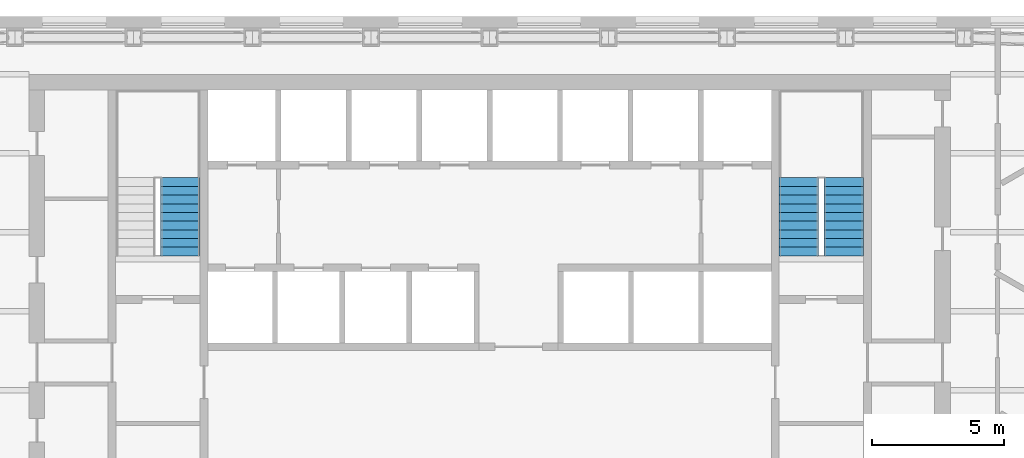
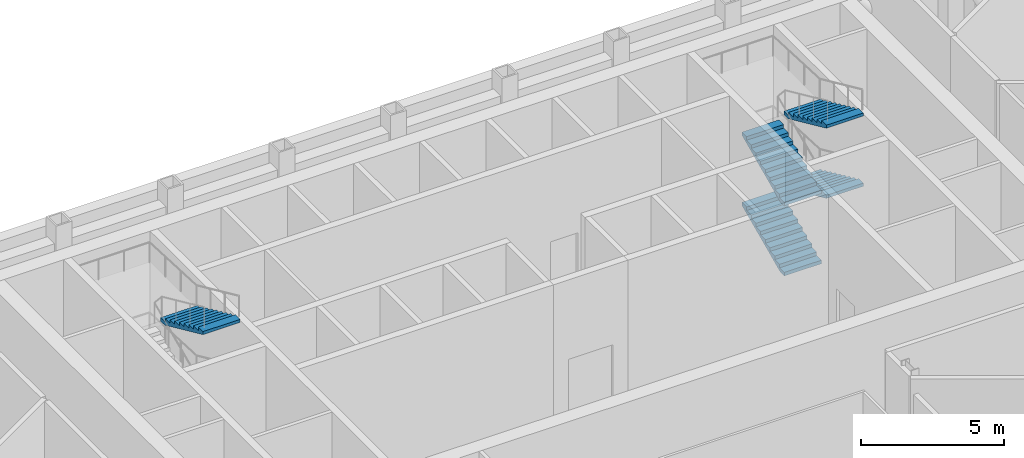
# One storey, part 13 of 14: 5 stair flights, 2 elements without a shape of their own.
"""IFC4 building model written with IfcOpenShell, lengths in metres."""

from ifc_helpers import new_model, si_unit, direction, frame, origin, place, context, subcontext, project, spatial, polygons, material, type_object, element, aggregate, save


model = new_model("IFC4")

# Units and contexts
model_context = context("Model", 3, precision=1e-05, world=origin(), true_north=direction((0.0, 1.0)))
body_context = subcontext(model_context, "Body", "Model", "MODEL_VIEW")
ifc_project = project(units=[si_unit("LENGTHUNIT", "METRE"), si_unit("AREAUNIT", "SQUARE_METRE"), si_unit("VOLUMEUNIT", "CUBIC_METRE"), si_unit("PLANEANGLEUNIT", "RADIAN"), si_unit("MASSUNIT", "GRAM", prefix="KILO")], contexts=[model_context])

# Site, building, storey
site_placement = place(None, origin())
site = spatial("IfcSite", under=ifc_project, at=site_placement, CompositionType="ELEMENT")
building_placement = place(site_placement, origin())
building = spatial("IfcBuilding", under=site, at=building_placement, Name="Njiva Tower", CompositionType="ELEMENT")
storey_placement = place(building_placement, frame((0.0, 0.0, 78.3)))
storey = spatial("IfcBuildingStorey", under=building, at=storey_placement, Name="L16", CompositionType="ELEMENT", Elevation=78.3)

# Stair, stair flight
ifc_material = material(Name="Concrete C40/50", Category="concrete")
stair_type = type_object("IfcStairType", Name="ST4 Exit stair 1500", PredefinedType="HALF_TURN_STAIR", material=ifc_material)
stair_1_placement = place(storey_placement, origin())
stair_1 = element("IfcStair", 1, at=stair_1_placement, inside=storey, type_object=stair_type, Name="Stair A", PredefinedType="DOUBLE_RETURN_STAIR")
stair_flight_type = type_object("IfcStairFlightType", Name="FL4 Stair flight 1500", PredefinedType="STRAIGHT", material=ifc_material)
stair_flight_1_placement = place(storey_placement, frame((-11.75, 14.07, 4.5), z_axis=(0.0, 0.0, 1.0), x_axis=(0.0, -1.0, 0.0)))
stair_flight_1 = element("IfcStairFlight", 2, at=stair_flight_1_placement, type_object=stair_flight_type, Name="ST-A flight 4", NumberOfRisers=10, NumberOfTreads=9, PredefinedType="STRAIGHT", RiserHeight=0.15, TreadLength=0.33, context=body_context, shape_type="Tessellation", body=[
    polygons([(0.0, 0.75, 0.0), (0.0, 0.375, 0.0), (0.0, 0.0, 0.0), (0.0, -0.375, 0.0), (0.0, -0.75, 0.0), (0.0, 0.75, 0.15), (0.0, 0.375, 0.15), (0.0, 0.0, 0.15), (0.0, -0.375, 0.15), (0.0, -0.75, 0.15), (0.33, 0.75, 0.15), (0.33, 0.375, 0.15), (0.33, 0.0, 0.15), (0.33, -0.375, 0.15), (0.33, -0.75, 0.15), (0.33, 0.75, 0.3), (0.33, 0.375, 0.3), (0.33, 0.0, 0.3), (0.33, -0.375, 0.3), (0.33, -0.75, 0.3), (0.66, 0.75, 0.3), (0.66, 0.375, 0.3), (0.66, 0.0, 0.3), (0.66, -0.375, 0.3), (0.66, -0.75, 0.3), (0.66, 0.75, 0.45), (0.66, 0.375, 0.45), (0.66, 0.0, 0.45), (0.66, -0.375, 0.45), (0.66, -0.75, 0.45), (0.99, 0.75, 0.45), (0.99, 0.375, 0.45), (0.99, 0.0, 0.45), (0.99, -0.375, 0.45), (0.99, -0.75, 0.45), (0.99, 0.75, 0.6), (0.99, 0.375, 0.6), (0.99, 0.0, 0.6), (0.99, -0.375, 0.6), (0.99, -0.75, 0.6), (1.32, 0.75, 0.6), (1.32, 0.375, 0.6), (1.32, 0.0, 0.6), (1.32, -0.375, 0.6), (1.32, -0.75, 0.6), (1.32, 0.75, 0.75), (1.32, 0.375, 0.75), (1.32, 0.0, 0.75), (1.32, -0.375, 0.75), (1.32, -0.75, 0.75), (1.65, 0.75, 0.75), (1.65, 0.375, 0.75), (1.65, 0.0, 0.75), (1.65, -0.375, 0.75), (1.65, -0.75, 0.75), (1.65, 0.75, 0.9), (1.65, 0.375, 0.9), (1.65, 0.0, 0.9), (1.65, -0.375, 0.9), (1.65, -0.75, 0.9), (1.98, 0.75, 0.9), (1.98, 0.375, 0.9), (1.98, 0.0, 0.9), (1.98, -0.375, 0.9), (1.98, -0.75, 0.9), (1.98, 0.75, 1.05), (1.98, 0.375, 1.05), (1.98, 0.0, 1.05), (1.98, -0.375, 1.05), (1.98, -0.75, 1.05), (2.31, 0.75, 1.05), (2.31, 0.375, 1.05), (2.31, 0.0, 1.05), (2.31, -0.375, 1.05), (2.31, -0.75, 1.05), (2.31, 0.75, 1.2), (2.31, 0.375, 1.2), (2.31, 0.0, 1.2), (2.31, -0.375, 1.2), (2.31, -0.75, 1.2), (2.64, 0.75, 1.2), (2.64, 0.375, 1.2), (2.64, 0.0, 1.2), (2.64, -0.375, 1.2), (2.64, -0.75, 1.2), (2.64, 0.75, 1.35), (2.64, 0.375, 1.35), (2.64, 0.0, 1.35), (2.64, -0.375, 1.35), (2.64, -0.75, 1.35), (2.97, 0.75, 1.35), (2.97, 0.375, 1.35), (2.97, 0.0, 1.35), (2.97, -0.375, 1.35), (2.97, -0.75, 1.35), (2.97, 0.75, 1.2182), (2.97, 0.375, 1.2182), (2.97, 0.0, 1.2182), (2.97, -0.375, 1.2182), (2.97, -0.75, 1.2182), (0.29, 0.75, 0.0), (0.29, 0.375, 0.0), (0.29, 0.0, 0.0), (0.29, -0.375, 0.0), (0.29, -0.75, 0.0)], [[[1, 6, 11, 16, 21, 26, 31, 36, 41, 46, 51, 56, 61, 66, 71, 76, 81, 86, 91, 96, 101]], [[105, 100, 95, 90, 85, 80, 75, 70, 65, 60, 55, 50, 45, 40, 35, 30, 25, 20, 15, 10, 5]], [[6, 1, 2, 7]], [[7, 2, 3, 8]], [[8, 3, 4, 9]], [[9, 4, 5, 10]], [[11, 6, 7, 12]], [[12, 7, 8, 13]], [[13, 8, 9, 14]], [[14, 9, 10, 15]], [[16, 11, 12, 17]], [[17, 12, 13, 18]], [[18, 13, 14, 19]], [[19, 14, 15, 20]], [[21, 16, 17, 22]], [[22, 17, 18, 23]], [[23, 18, 19, 24]], [[24, 19, 20, 25]], [[26, 21, 22, 27]], [[27, 22, 23, 28]], [[28, 23, 24, 29]], [[29, 24, 25, 30]], [[31, 26, 27, 32]], [[32, 27, 28, 33]], [[33, 28, 29, 34]], [[34, 29, 30, 35]], [[36, 31, 32, 37]], [[37, 32, 33, 38]], [[38, 33, 34, 39]], [[39, 34, 35, 40]], [[41, 36, 37, 42]], [[42, 37, 38, 43]], [[43, 38, 39, 44]], [[44, 39, 40, 45]], [[46, 41, 42, 47]], [[47, 42, 43, 48]], [[48, 43, 44, 49]], [[49, 44, 45, 50]], [[51, 46, 47, 52]], [[52, 47, 48, 53]], [[53, 48, 49, 54]], [[54, 49, 50, 55]], [[56, 51, 52, 57]], [[57, 52, 53, 58]], [[58, 53, 54, 59]], [[59, 54, 55, 60]], [[61, 56, 57, 62]], [[62, 57, 58, 63]], [[63, 58, 59, 64]], [[64, 59, 60, 65]], [[66, 61, 62, 67]], [[67, 62, 63, 68]], [[68, 63, 64, 69]], [[69, 64, 65, 70]], [[71, 66, 67, 72]], [[72, 67, 68, 73]], [[73, 68, 69, 74]], [[74, 69, 70, 75]], [[76, 71, 72, 77]], [[77, 72, 73, 78]], [[78, 73, 74, 79]], [[79, 74, 75, 80]], [[81, 76, 77, 82]], [[82, 77, 78, 83]], [[83, 78, 79, 84]], [[84, 79, 80, 85]], [[86, 81, 82, 87]], [[87, 82, 83, 88]], [[88, 83, 84, 89]], [[89, 84, 85, 90]], [[91, 86, 87, 92]], [[92, 87, 88, 93]], [[93, 88, 89, 94]], [[94, 89, 90, 95]], [[96, 91, 92, 97]], [[97, 92, 93, 98]], [[98, 93, 94, 99]], [[99, 94, 95, 100]], [[101, 96, 97, 102]], [[102, 97, 98, 103]], [[103, 98, 99, 104]], [[104, 99, 100, 105]], [[1, 101, 102, 2]], [[2, 102, 103, 3]], [[3, 103, 104, 4]], [[4, 104, 105, 5]]], closed=True),
])
aggregate(stair_1, [stair_flight_1])

# Stair, stair flights
stair_2_placement = place(storey_placement, origin())
stair_2 = element("IfcStair", 3, at=stair_2_placement, inside=storey, type_object=stair_type, Name="Stair B", PredefinedType="DOUBLE_RETURN_STAIR")
stair_flight_2_placement = place(storey_placement, frame((11.75, 11.1, 0.0), z_axis=(0.0, 0.0, 1.0), x_axis=(0.0, 1.0, 0.0)))
stair_flight_2 = element("IfcStairFlight", 4, at=stair_flight_2_placement, type_object=stair_flight_type, Name="ST-B flight 1", NumberOfRisers=10, NumberOfTreads=9, PredefinedType="STRAIGHT", RiserHeight=0.15, TreadLength=0.33, context=body_context, shape_type="Tessellation", body=[
    polygons([(0.0, 0.75, 0.0), (0.0, 0.375, 0.0), (0.0, 0.0, 0.0), (0.0, -0.375, 0.0), (0.0, -0.75, 0.0), (0.0, 0.75, 0.15), (0.0, 0.375, 0.15), (0.0, 0.0, 0.15), (0.0, -0.375, 0.15), (0.0, -0.75, 0.15), (0.33, 0.75, 0.15), (0.33, 0.375, 0.15), (0.33, 0.0, 0.15), (0.33, -0.375, 0.15), (0.33, -0.75, 0.15), (0.33, 0.75, 0.3), (0.33, 0.375, 0.3), (0.33, 0.0, 0.3), (0.33, -0.375, 0.3), (0.33, -0.75, 0.3), (0.66, 0.75, 0.3), (0.66, 0.375, 0.3), (0.66, 0.0, 0.3), (0.66, -0.375, 0.3), (0.66, -0.75, 0.3), (0.66, 0.75, 0.45), (0.66, 0.375, 0.45), (0.66, 0.0, 0.45), (0.66, -0.375, 0.45), (0.66, -0.75, 0.45), (0.99, 0.75, 0.45), (0.99, 0.375, 0.45), (0.99, 0.0, 0.45), (0.99, -0.375, 0.45), (0.99, -0.75, 0.45), (0.99, 0.75, 0.6), (0.99, 0.375, 0.6), (0.99, 0.0, 0.6), (0.99, -0.375, 0.6), (0.99, -0.75, 0.6), (1.32, 0.75, 0.6), (1.32, 0.375, 0.6), (1.32, 0.0, 0.6), (1.32, -0.375, 0.6), (1.32, -0.75, 0.6), (1.32, 0.75, 0.75), (1.32, 0.375, 0.75), (1.32, 0.0, 0.75), (1.32, -0.375, 0.75), (1.32, -0.75, 0.75), (1.65, 0.75, 0.75), (1.65, 0.375, 0.75), (1.65, 0.0, 0.75), (1.65, -0.375, 0.75), (1.65, -0.75, 0.75), (1.65, 0.75, 0.9), (1.65, 0.375, 0.9), (1.65, 0.0, 0.9), (1.65, -0.375, 0.9), (1.65, -0.75, 0.9), (1.98, 0.75, 0.9), (1.98, 0.375, 0.9), (1.98, 0.0, 0.9), (1.98, -0.375, 0.9), (1.98, -0.75, 0.9), (1.98, 0.75, 1.05), (1.98, 0.375, 1.05), (1.98, 0.0, 1.05), (1.98, -0.375, 1.05), (1.98, -0.75, 1.05), (2.31, 0.75, 1.05), (2.31, 0.375, 1.05), (2.31, 0.0, 1.05), (2.31, -0.375, 1.05), (2.31, -0.75, 1.05), (2.31, 0.75, 1.2), (2.31, 0.375, 1.2), (2.31, 0.0, 1.2), (2.31, -0.375, 1.2), (2.31, -0.75, 1.2), (2.64, 0.75, 1.2), (2.64, 0.375, 1.2), (2.64, 0.0, 1.2), (2.64, -0.375, 1.2), (2.64, -0.75, 1.2), (2.64, 0.75, 1.35), (2.64, 0.375, 1.35), (2.64, 0.0, 1.35), (2.64, -0.375, 1.35), (2.64, -0.75, 1.35), (2.97, 0.75, 1.35), (2.97, 0.375, 1.35), (2.97, 0.0, 1.35), (2.97, -0.375, 1.35), (2.97, -0.75, 1.35), (2.97, 0.75, 1.2182), (2.97, 0.375, 1.2182), (2.97, 0.0, 1.2182), (2.97, -0.375, 1.2182), (2.97, -0.75, 1.2182), (0.29, 0.75, 0.0), (0.29, 0.375, 0.0), (0.29, 0.0, 0.0), (0.29, -0.375, 0.0), (0.29, -0.75, 0.0)], [[[1, 6, 11, 16, 21, 26, 31, 36, 41, 46, 51, 56, 61, 66, 71, 76, 81, 86, 91, 96, 101]], [[105, 100, 95, 90, 85, 80, 75, 70, 65, 60, 55, 50, 45, 40, 35, 30, 25, 20, 15, 10, 5]], [[6, 1, 2, 7]], [[7, 2, 3, 8]], [[8, 3, 4, 9]], [[9, 4, 5, 10]], [[11, 6, 7, 12]], [[12, 7, 8, 13]], [[13, 8, 9, 14]], [[14, 9, 10, 15]], [[16, 11, 12, 17]], [[17, 12, 13, 18]], [[18, 13, 14, 19]], [[19, 14, 15, 20]], [[21, 16, 17, 22]], [[22, 17, 18, 23]], [[23, 18, 19, 24]], [[24, 19, 20, 25]], [[26, 21, 22, 27]], [[27, 22, 23, 28]], [[28, 23, 24, 29]], [[29, 24, 25, 30]], [[31, 26, 27, 32]], [[32, 27, 28, 33]], [[33, 28, 29, 34]], [[34, 29, 30, 35]], [[36, 31, 32, 37]], [[37, 32, 33, 38]], [[38, 33, 34, 39]], [[39, 34, 35, 40]], [[41, 36, 37, 42]], [[42, 37, 38, 43]], [[43, 38, 39, 44]], [[44, 39, 40, 45]], [[46, 41, 42, 47]], [[47, 42, 43, 48]], [[48, 43, 44, 49]], [[49, 44, 45, 50]], [[51, 46, 47, 52]], [[52, 47, 48, 53]], [[53, 48, 49, 54]], [[54, 49, 50, 55]], [[56, 51, 52, 57]], [[57, 52, 53, 58]], [[58, 53, 54, 59]], [[59, 54, 55, 60]], [[61, 56, 57, 62]], [[62, 57, 58, 63]], [[63, 58, 59, 64]], [[64, 59, 60, 65]], [[66, 61, 62, 67]], [[67, 62, 63, 68]], [[68, 63, 64, 69]], [[69, 64, 65, 70]], [[71, 66, 67, 72]], [[72, 67, 68, 73]], [[73, 68, 69, 74]], [[74, 69, 70, 75]], [[76, 71, 72, 77]], [[77, 72, 73, 78]], [[78, 73, 74, 79]], [[79, 74, 75, 80]], [[81, 76, 77, 82]], [[82, 77, 78, 83]], [[83, 78, 79, 84]], [[84, 79, 80, 85]], [[86, 81, 82, 87]], [[87, 82, 83, 88]], [[88, 83, 84, 89]], [[89, 84, 85, 90]], [[91, 86, 87, 92]], [[92, 87, 88, 93]], [[93, 88, 89, 94]], [[94, 89, 90, 95]], [[96, 91, 92, 97]], [[97, 92, 93, 98]], [[98, 93, 94, 99]], [[99, 94, 95, 100]], [[101, 96, 97, 102]], [[102, 97, 98, 103]], [[103, 98, 99, 104]], [[104, 99, 100, 105]], [[1, 101, 102, 2]], [[2, 102, 103, 3]], [[3, 103, 104, 4]], [[4, 104, 105, 5]]], closed=True),
])
stair_flight_3_placement = place(storey_placement, frame((13.45, 14.07, 1.5), z_axis=(0.0, 0.0, 1.0), x_axis=(0.0, -1.0, 0.0)))
stair_flight_3 = element("IfcStairFlight", 5, at=stair_flight_3_placement, type_object=stair_flight_type, Name="ST-B flight 2", NumberOfRisers=10, NumberOfTreads=9, PredefinedType="STRAIGHT", RiserHeight=0.15, TreadLength=0.33, context=body_context, shape_type="Tessellation", body=[
    polygons([(0.0, 0.75, 0.0), (0.0, 0.375, 0.0), (0.0, 0.0, 0.0), (0.0, -0.375, 0.0), (0.0, -0.75, 0.0), (0.0, 0.75, 0.15), (0.0, 0.375, 0.15), (0.0, 0.0, 0.15), (0.0, -0.375, 0.15), (0.0, -0.75, 0.15), (0.33, 0.75, 0.15), (0.33, 0.375, 0.15), (0.33, 0.0, 0.15), (0.33, -0.375, 0.15), (0.33, -0.75, 0.15), (0.33, 0.75, 0.3), (0.33, 0.375, 0.3), (0.33, 0.0, 0.3), (0.33, -0.375, 0.3), (0.33, -0.75, 0.3), (0.66, 0.75, 0.3), (0.66, 0.375, 0.3), (0.66, 0.0, 0.3), (0.66, -0.375, 0.3), (0.66, -0.75, 0.3), (0.66, 0.75, 0.45), (0.66, 0.375, 0.45), (0.66, 0.0, 0.45), (0.66, -0.375, 0.45), (0.66, -0.75, 0.45), (0.99, 0.75, 0.45), (0.99, 0.375, 0.45), (0.99, 0.0, 0.45), (0.99, -0.375, 0.45), (0.99, -0.75, 0.45), (0.99, 0.75, 0.6), (0.99, 0.375, 0.6), (0.99, 0.0, 0.6), (0.99, -0.375, 0.6), (0.99, -0.75, 0.6), (1.32, 0.75, 0.6), (1.32, 0.375, 0.6), (1.32, 0.0, 0.6), (1.32, -0.375, 0.6), (1.32, -0.75, 0.6), (1.32, 0.75, 0.75), (1.32, 0.375, 0.75), (1.32, 0.0, 0.75), (1.32, -0.375, 0.75), (1.32, -0.75, 0.75), (1.65, 0.75, 0.75), (1.65, 0.375, 0.75), (1.65, 0.0, 0.75), (1.65, -0.375, 0.75), (1.65, -0.75, 0.75), (1.65, 0.75, 0.9), (1.65, 0.375, 0.9), (1.65, 0.0, 0.9), (1.65, -0.375, 0.9), (1.65, -0.75, 0.9), (1.98, 0.75, 0.9), (1.98, 0.375, 0.9), (1.98, 0.0, 0.9), (1.98, -0.375, 0.9), (1.98, -0.75, 0.9), (1.98, 0.75, 1.05), (1.98, 0.375, 1.05), (1.98, 0.0, 1.05), (1.98, -0.375, 1.05), (1.98, -0.75, 1.05), (2.31, 0.75, 1.05), (2.31, 0.375, 1.05), (2.31, 0.0, 1.05), (2.31, -0.375, 1.05), (2.31, -0.75, 1.05), (2.31, 0.75, 1.2), (2.31, 0.375, 1.2), (2.31, 0.0, 1.2), (2.31, -0.375, 1.2), (2.31, -0.75, 1.2), (2.64, 0.75, 1.2), (2.64, 0.375, 1.2), (2.64, 0.0, 1.2), (2.64, -0.375, 1.2), (2.64, -0.75, 1.2), (2.64, 0.75, 1.35), (2.64, 0.375, 1.35), (2.64, 0.0, 1.35), (2.64, -0.375, 1.35), (2.64, -0.75, 1.35), (2.97, 0.75, 1.35), (2.97, 0.375, 1.35), (2.97, 0.0, 1.35), (2.97, -0.375, 1.35), (2.97, -0.75, 1.35), (2.97, 0.75, 1.2182), (2.97, 0.375, 1.2182), (2.97, 0.0, 1.2182), (2.97, -0.375, 1.2182), (2.97, -0.75, 1.2182), (0.29, 0.75, 0.0), (0.29, 0.375, 0.0), (0.29, 0.0, 0.0), (0.29, -0.375, 0.0), (0.29, -0.75, 0.0)], [[[1, 6, 11, 16, 21, 26, 31, 36, 41, 46, 51, 56, 61, 66, 71, 76, 81, 86, 91, 96, 101]], [[105, 100, 95, 90, 85, 80, 75, 70, 65, 60, 55, 50, 45, 40, 35, 30, 25, 20, 15, 10, 5]], [[6, 1, 2, 7]], [[7, 2, 3, 8]], [[8, 3, 4, 9]], [[9, 4, 5, 10]], [[11, 6, 7, 12]], [[12, 7, 8, 13]], [[13, 8, 9, 14]], [[14, 9, 10, 15]], [[16, 11, 12, 17]], [[17, 12, 13, 18]], [[18, 13, 14, 19]], [[19, 14, 15, 20]], [[21, 16, 17, 22]], [[22, 17, 18, 23]], [[23, 18, 19, 24]], [[24, 19, 20, 25]], [[26, 21, 22, 27]], [[27, 22, 23, 28]], [[28, 23, 24, 29]], [[29, 24, 25, 30]], [[31, 26, 27, 32]], [[32, 27, 28, 33]], [[33, 28, 29, 34]], [[34, 29, 30, 35]], [[36, 31, 32, 37]], [[37, 32, 33, 38]], [[38, 33, 34, 39]], [[39, 34, 35, 40]], [[41, 36, 37, 42]], [[42, 37, 38, 43]], [[43, 38, 39, 44]], [[44, 39, 40, 45]], [[46, 41, 42, 47]], [[47, 42, 43, 48]], [[48, 43, 44, 49]], [[49, 44, 45, 50]], [[51, 46, 47, 52]], [[52, 47, 48, 53]], [[53, 48, 49, 54]], [[54, 49, 50, 55]], [[56, 51, 52, 57]], [[57, 52, 53, 58]], [[58, 53, 54, 59]], [[59, 54, 55, 60]], [[61, 56, 57, 62]], [[62, 57, 58, 63]], [[63, 58, 59, 64]], [[64, 59, 60, 65]], [[66, 61, 62, 67]], [[67, 62, 63, 68]], [[68, 63, 64, 69]], [[69, 64, 65, 70]], [[71, 66, 67, 72]], [[72, 67, 68, 73]], [[73, 68, 69, 74]], [[74, 69, 70, 75]], [[76, 71, 72, 77]], [[77, 72, 73, 78]], [[78, 73, 74, 79]], [[79, 74, 75, 80]], [[81, 76, 77, 82]], [[82, 77, 78, 83]], [[83, 78, 79, 84]], [[84, 79, 80, 85]], [[86, 81, 82, 87]], [[87, 82, 83, 88]], [[88, 83, 84, 89]], [[89, 84, 85, 90]], [[91, 86, 87, 92]], [[92, 87, 88, 93]], [[93, 88, 89, 94]], [[94, 89, 90, 95]], [[96, 91, 92, 97]], [[97, 92, 93, 98]], [[98, 93, 94, 99]], [[99, 94, 95, 100]], [[101, 96, 97, 102]], [[102, 97, 98, 103]], [[103, 98, 99, 104]], [[104, 99, 100, 105]], [[1, 101, 102, 2]], [[2, 102, 103, 3]], [[3, 103, 104, 4]], [[4, 104, 105, 5]]], closed=True),
])
stair_flight_4_placement = place(storey_placement, frame((11.75, 11.1, 3.0), z_axis=(0.0, 0.0, 1.0), x_axis=(0.0, 1.0, 0.0)))
stair_flight_4 = element("IfcStairFlight", 6, at=stair_flight_4_placement, type_object=stair_flight_type, Name="ST-B flight 3", NumberOfRisers=10, NumberOfTreads=9, PredefinedType="STRAIGHT", RiserHeight=0.15, TreadLength=0.33, context=body_context, shape_type="Tessellation", body=[
    polygons([(0.0, 0.75, 0.0), (0.0, 0.375, 0.0), (0.0, 0.0, 0.0), (0.0, -0.375, 0.0), (0.0, -0.75, 0.0), (0.0, 0.75, 0.15), (0.0, 0.375, 0.15), (0.0, 0.0, 0.15), (0.0, -0.375, 0.15), (0.0, -0.75, 0.15), (0.33, 0.75, 0.15), (0.33, 0.375, 0.15), (0.33, 0.0, 0.15), (0.33, -0.375, 0.15), (0.33, -0.75, 0.15), (0.33, 0.75, 0.3), (0.33, 0.375, 0.3), (0.33, 0.0, 0.3), (0.33, -0.375, 0.3), (0.33, -0.75, 0.3), (0.66, 0.75, 0.3), (0.66, 0.375, 0.3), (0.66, 0.0, 0.3), (0.66, -0.375, 0.3), (0.66, -0.75, 0.3), (0.66, 0.75, 0.45), (0.66, 0.375, 0.45), (0.66, 0.0, 0.45), (0.66, -0.375, 0.45), (0.66, -0.75, 0.45), (0.99, 0.75, 0.45), (0.99, 0.375, 0.45), (0.99, 0.0, 0.45), (0.99, -0.375, 0.45), (0.99, -0.75, 0.45), (0.99, 0.75, 0.6), (0.99, 0.375, 0.6), (0.99, 0.0, 0.6), (0.99, -0.375, 0.6), (0.99, -0.75, 0.6), (1.32, 0.75, 0.6), (1.32, 0.375, 0.6), (1.32, 0.0, 0.6), (1.32, -0.375, 0.6), (1.32, -0.75, 0.6), (1.32, 0.75, 0.75), (1.32, 0.375, 0.75), (1.32, 0.0, 0.75), (1.32, -0.375, 0.75), (1.32, -0.75, 0.75), (1.65, 0.75, 0.75), (1.65, 0.375, 0.75), (1.65, 0.0, 0.75), (1.65, -0.375, 0.75), (1.65, -0.75, 0.75), (1.65, 0.75, 0.9), (1.65, 0.375, 0.9), (1.65, 0.0, 0.9), (1.65, -0.375, 0.9), (1.65, -0.75, 0.9), (1.98, 0.75, 0.9), (1.98, 0.375, 0.9), (1.98, 0.0, 0.9), (1.98, -0.375, 0.9), (1.98, -0.75, 0.9), (1.98, 0.75, 1.05), (1.98, 0.375, 1.05), (1.98, 0.0, 1.05), (1.98, -0.375, 1.05), (1.98, -0.75, 1.05), (2.31, 0.75, 1.05), (2.31, 0.375, 1.05), (2.31, 0.0, 1.05), (2.31, -0.375, 1.05), (2.31, -0.75, 1.05), (2.31, 0.75, 1.2), (2.31, 0.375, 1.2), (2.31, 0.0, 1.2), (2.31, -0.375, 1.2), (2.31, -0.75, 1.2), (2.64, 0.75, 1.2), (2.64, 0.375, 1.2), (2.64, 0.0, 1.2), (2.64, -0.375, 1.2), (2.64, -0.75, 1.2), (2.64, 0.75, 1.35), (2.64, 0.375, 1.35), (2.64, 0.0, 1.35), (2.64, -0.375, 1.35), (2.64, -0.75, 1.35), (2.97, 0.75, 1.35), (2.97, 0.375, 1.35), (2.97, 0.0, 1.35), (2.97, -0.375, 1.35), (2.97, -0.75, 1.35), (2.97, 0.75, 1.2182), (2.97, 0.375, 1.2182), (2.97, 0.0, 1.2182), (2.97, -0.375, 1.2182), (2.97, -0.75, 1.2182), (0.29, 0.75, 0.0), (0.29, 0.375, 0.0), (0.29, 0.0, 0.0), (0.29, -0.375, 0.0), (0.29, -0.75, 0.0)], [[[1, 6, 11, 16, 21, 26, 31, 36, 41, 46, 51, 56, 61, 66, 71, 76, 81, 86, 91, 96, 101]], [[105, 100, 95, 90, 85, 80, 75, 70, 65, 60, 55, 50, 45, 40, 35, 30, 25, 20, 15, 10, 5]], [[6, 1, 2, 7]], [[7, 2, 3, 8]], [[8, 3, 4, 9]], [[9, 4, 5, 10]], [[11, 6, 7, 12]], [[12, 7, 8, 13]], [[13, 8, 9, 14]], [[14, 9, 10, 15]], [[16, 11, 12, 17]], [[17, 12, 13, 18]], [[18, 13, 14, 19]], [[19, 14, 15, 20]], [[21, 16, 17, 22]], [[22, 17, 18, 23]], [[23, 18, 19, 24]], [[24, 19, 20, 25]], [[26, 21, 22, 27]], [[27, 22, 23, 28]], [[28, 23, 24, 29]], [[29, 24, 25, 30]], [[31, 26, 27, 32]], [[32, 27, 28, 33]], [[33, 28, 29, 34]], [[34, 29, 30, 35]], [[36, 31, 32, 37]], [[37, 32, 33, 38]], [[38, 33, 34, 39]], [[39, 34, 35, 40]], [[41, 36, 37, 42]], [[42, 37, 38, 43]], [[43, 38, 39, 44]], [[44, 39, 40, 45]], [[46, 41, 42, 47]], [[47, 42, 43, 48]], [[48, 43, 44, 49]], [[49, 44, 45, 50]], [[51, 46, 47, 52]], [[52, 47, 48, 53]], [[53, 48, 49, 54]], [[54, 49, 50, 55]], [[56, 51, 52, 57]], [[57, 52, 53, 58]], [[58, 53, 54, 59]], [[59, 54, 55, 60]], [[61, 56, 57, 62]], [[62, 57, 58, 63]], [[63, 58, 59, 64]], [[64, 59, 60, 65]], [[66, 61, 62, 67]], [[67, 62, 63, 68]], [[68, 63, 64, 69]], [[69, 64, 65, 70]], [[71, 66, 67, 72]], [[72, 67, 68, 73]], [[73, 68, 69, 74]], [[74, 69, 70, 75]], [[76, 71, 72, 77]], [[77, 72, 73, 78]], [[78, 73, 74, 79]], [[79, 74, 75, 80]], [[81, 76, 77, 82]], [[82, 77, 78, 83]], [[83, 78, 79, 84]], [[84, 79, 80, 85]], [[86, 81, 82, 87]], [[87, 82, 83, 88]], [[88, 83, 84, 89]], [[89, 84, 85, 90]], [[91, 86, 87, 92]], [[92, 87, 88, 93]], [[93, 88, 89, 94]], [[94, 89, 90, 95]], [[96, 91, 92, 97]], [[97, 92, 93, 98]], [[98, 93, 94, 99]], [[99, 94, 95, 100]], [[101, 96, 97, 102]], [[102, 97, 98, 103]], [[103, 98, 99, 104]], [[104, 99, 100, 105]], [[1, 101, 102, 2]], [[2, 102, 103, 3]], [[3, 103, 104, 4]], [[4, 104, 105, 5]]], closed=True),
])
stair_flight_5_placement = place(storey_placement, frame((13.45, 14.07, 4.5), z_axis=(0.0, 0.0, 1.0), x_axis=(0.0, -1.0, 0.0)))
stair_flight_5 = element("IfcStairFlight", 7, at=stair_flight_5_placement, type_object=stair_flight_type, Name="ST-B flight 4", NumberOfRisers=10, NumberOfTreads=9, PredefinedType="STRAIGHT", RiserHeight=0.15, TreadLength=0.33, context=body_context, shape_type="Tessellation", body=[
    polygons([(0.0, 0.75, 0.0), (0.0, 0.375, 0.0), (0.0, 0.0, 0.0), (0.0, -0.375, 0.0), (0.0, -0.75, 0.0), (0.0, 0.75, 0.15), (0.0, 0.375, 0.15), (0.0, 0.0, 0.15), (0.0, -0.375, 0.15), (0.0, -0.75, 0.15), (0.33, 0.75, 0.15), (0.33, 0.375, 0.15), (0.33, 0.0, 0.15), (0.33, -0.375, 0.15), (0.33, -0.75, 0.15), (0.33, 0.75, 0.3), (0.33, 0.375, 0.3), (0.33, 0.0, 0.3), (0.33, -0.375, 0.3), (0.33, -0.75, 0.3), (0.66, 0.75, 0.3), (0.66, 0.375, 0.3), (0.66, 0.0, 0.3), (0.66, -0.375, 0.3), (0.66, -0.75, 0.3), (0.66, 0.75, 0.45), (0.66, 0.375, 0.45), (0.66, 0.0, 0.45), (0.66, -0.375, 0.45), (0.66, -0.75, 0.45), (0.99, 0.75, 0.45), (0.99, 0.375, 0.45), (0.99, 0.0, 0.45), (0.99, -0.375, 0.45), (0.99, -0.75, 0.45), (0.99, 0.75, 0.6), (0.99, 0.375, 0.6), (0.99, 0.0, 0.6), (0.99, -0.375, 0.6), (0.99, -0.75, 0.6), (1.32, 0.75, 0.6), (1.32, 0.375, 0.6), (1.32, 0.0, 0.6), (1.32, -0.375, 0.6), (1.32, -0.75, 0.6), (1.32, 0.75, 0.75), (1.32, 0.375, 0.75), (1.32, 0.0, 0.75), (1.32, -0.375, 0.75), (1.32, -0.75, 0.75), (1.65, 0.75, 0.75), (1.65, 0.375, 0.75), (1.65, 0.0, 0.75), (1.65, -0.375, 0.75), (1.65, -0.75, 0.75), (1.65, 0.75, 0.9), (1.65, 0.375, 0.9), (1.65, 0.0, 0.9), (1.65, -0.375, 0.9), (1.65, -0.75, 0.9), (1.98, 0.75, 0.9), (1.98, 0.375, 0.9), (1.98, 0.0, 0.9), (1.98, -0.375, 0.9), (1.98, -0.75, 0.9), (1.98, 0.75, 1.05), (1.98, 0.375, 1.05), (1.98, 0.0, 1.05), (1.98, -0.375, 1.05), (1.98, -0.75, 1.05), (2.31, 0.75, 1.05), (2.31, 0.375, 1.05), (2.31, 0.0, 1.05), (2.31, -0.375, 1.05), (2.31, -0.75, 1.05), (2.31, 0.75, 1.2), (2.31, 0.375, 1.2), (2.31, 0.0, 1.2), (2.31, -0.375, 1.2), (2.31, -0.75, 1.2), (2.64, 0.75, 1.2), (2.64, 0.375, 1.2), (2.64, 0.0, 1.2), (2.64, -0.375, 1.2), (2.64, -0.75, 1.2), (2.64, 0.75, 1.35), (2.64, 0.375, 1.35), (2.64, 0.0, 1.35), (2.64, -0.375, 1.35), (2.64, -0.75, 1.35), (2.97, 0.75, 1.35), (2.97, 0.375, 1.35), (2.97, 0.0, 1.35), (2.97, -0.375, 1.35), (2.97, -0.75, 1.35), (2.97, 0.75, 1.2182), (2.97, 0.375, 1.2182), (2.97, 0.0, 1.2182), (2.97, -0.375, 1.2182), (2.97, -0.75, 1.2182), (0.29, 0.75, 0.0), (0.29, 0.375, 0.0), (0.29, 0.0, 0.0), (0.29, -0.375, 0.0), (0.29, -0.75, 0.0)], [[[1, 6, 11, 16, 21, 26, 31, 36, 41, 46, 51, 56, 61, 66, 71, 76, 81, 86, 91, 96, 101]], [[105, 100, 95, 90, 85, 80, 75, 70, 65, 60, 55, 50, 45, 40, 35, 30, 25, 20, 15, 10, 5]], [[6, 1, 2, 7]], [[7, 2, 3, 8]], [[8, 3, 4, 9]], [[9, 4, 5, 10]], [[11, 6, 7, 12]], [[12, 7, 8, 13]], [[13, 8, 9, 14]], [[14, 9, 10, 15]], [[16, 11, 12, 17]], [[17, 12, 13, 18]], [[18, 13, 14, 19]], [[19, 14, 15, 20]], [[21, 16, 17, 22]], [[22, 17, 18, 23]], [[23, 18, 19, 24]], [[24, 19, 20, 25]], [[26, 21, 22, 27]], [[27, 22, 23, 28]], [[28, 23, 24, 29]], [[29, 24, 25, 30]], [[31, 26, 27, 32]], [[32, 27, 28, 33]], [[33, 28, 29, 34]], [[34, 29, 30, 35]], [[36, 31, 32, 37]], [[37, 32, 33, 38]], [[38, 33, 34, 39]], [[39, 34, 35, 40]], [[41, 36, 37, 42]], [[42, 37, 38, 43]], [[43, 38, 39, 44]], [[44, 39, 40, 45]], [[46, 41, 42, 47]], [[47, 42, 43, 48]], [[48, 43, 44, 49]], [[49, 44, 45, 50]], [[51, 46, 47, 52]], [[52, 47, 48, 53]], [[53, 48, 49, 54]], [[54, 49, 50, 55]], [[56, 51, 52, 57]], [[57, 52, 53, 58]], [[58, 53, 54, 59]], [[59, 54, 55, 60]], [[61, 56, 57, 62]], [[62, 57, 58, 63]], [[63, 58, 59, 64]], [[64, 59, 60, 65]], [[66, 61, 62, 67]], [[67, 62, 63, 68]], [[68, 63, 64, 69]], [[69, 64, 65, 70]], [[71, 66, 67, 72]], [[72, 67, 68, 73]], [[73, 68, 69, 74]], [[74, 69, 70, 75]], [[76, 71, 72, 77]], [[77, 72, 73, 78]], [[78, 73, 74, 79]], [[79, 74, 75, 80]], [[81, 76, 77, 82]], [[82, 77, 78, 83]], [[83, 78, 79, 84]], [[84, 79, 80, 85]], [[86, 81, 82, 87]], [[87, 82, 83, 88]], [[88, 83, 84, 89]], [[89, 84, 85, 90]], [[91, 86, 87, 92]], [[92, 87, 88, 93]], [[93, 88, 89, 94]], [[94, 89, 90, 95]], [[96, 91, 92, 97]], [[97, 92, 93, 98]], [[98, 93, 94, 99]], [[99, 94, 95, 100]], [[101, 96, 97, 102]], [[102, 97, 98, 103]], [[103, 98, 99, 104]], [[104, 99, 100, 105]], [[1, 101, 102, 2]], [[2, 102, 103, 3]], [[3, 103, 104, 4]], [[4, 104, 105, 5]]], closed=True),
])
aggregate(stair_2, [stair_flight_2, stair_flight_3, stair_flight_4, stair_flight_5])

save(model, "model.ifc")
